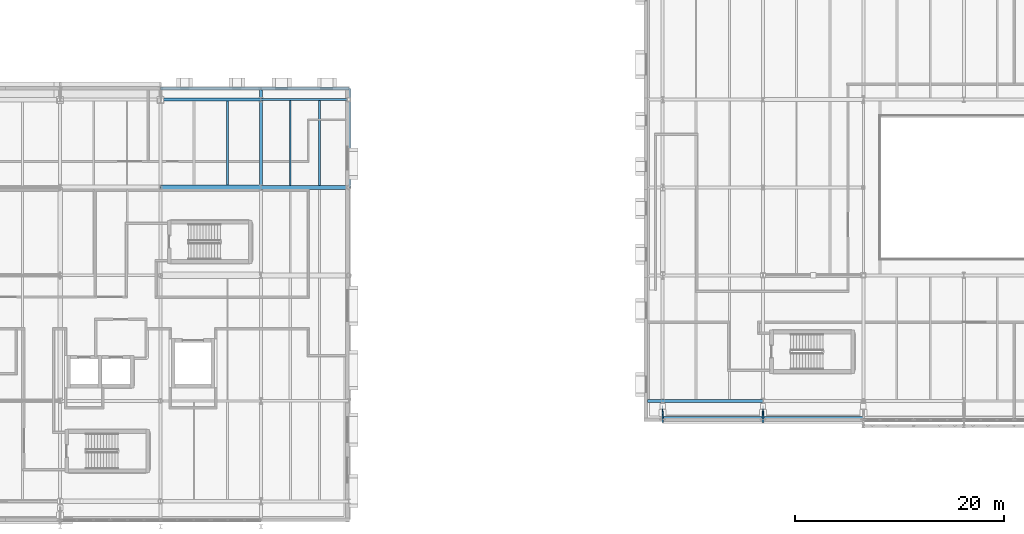
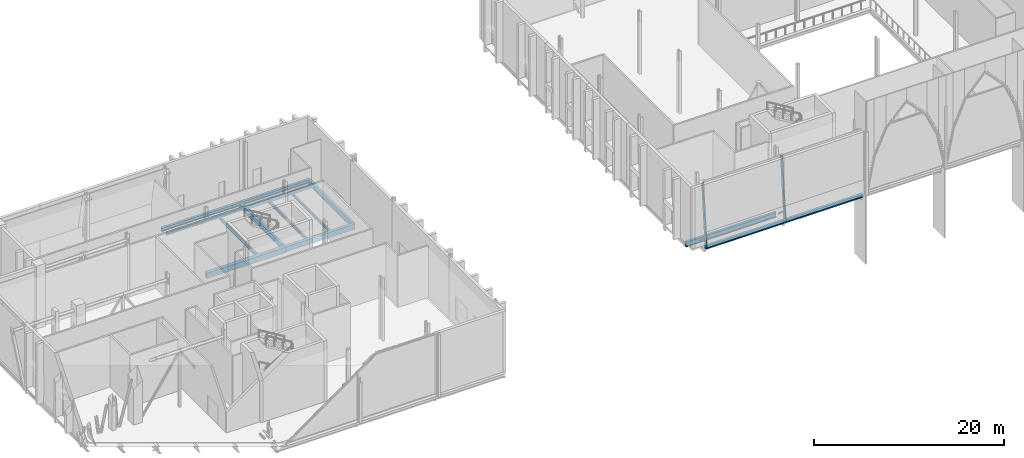
# One storey, part 23 of 79: 14 beams, 4 members.
"""IFC4 building model written with IfcOpenShell, lengths in metres."""

from ifc_helpers import new_model, si_unit, direction, frame, origin, origin_2d, place, context, subcontext, project, spatial, rectangle, hollow_rectangle, i_section, extrude, material, material_profile, profile_set, type_object, element, save


model = new_model("IFC4")

# Units and contexts
model_context = context("Model", 3, precision=1e-05, world=origin(), true_north=direction((0.0, 1.0)))
body_context = subcontext(model_context, "Body", "Model", "MODEL_VIEW")
ifc_project = project(units=[si_unit("LENGTHUNIT", "METRE"), si_unit("AREAUNIT", "SQUARE_METRE"), si_unit("VOLUMEUNIT", "CUBIC_METRE"), si_unit("PLANEANGLEUNIT", "RADIAN"), si_unit("MASSUNIT", "GRAM", prefix="KILO")], contexts=[model_context])

# Site, building, storey
site_placement = place(None, origin())
site = spatial("IfcSite", under=ifc_project, at=site_placement, CompositionType="ELEMENT")
building_placement = place(site_placement, origin())
building = spatial("IfcBuilding", under=site, at=building_placement, Name="Zereglee Splitstone Museum", CompositionType="ELEMENT")
storey_placement = place(building_placement, frame((0.0, 0.0, 9.0)))
storey = spatial("IfcBuildingStorey", under=building, at=storey_placement, Name="L02", CompositionType="ELEMENT", Elevation=9.0)

# Beams
ifc_material_1 = material(Name="Concrete C40/50", Category="concrete")
ifc_material_profile_1 = material_profile(ifc_material_1, rectangle(XDim=0.39990234375, YDim=0.64990234375, at=origin_2d()), Name="RC 400x650")
ifc_profile_set_1 = profile_set([ifc_material_profile_1], Name="Concrete C40/50")
beam_type_1 = type_object("IfcBeamType", Name="BG-04", PredefinedType="BEAM", material=ifc_profile_set_1)
beam_1_placement = place(storey_placement, frame((39.60009765625, 30.0, -0.64501953125), z_axis=(1.0, 0.0, 0.0), x_axis=(0.0, 1.0, 0.0)))
element("IfcBeam", 1, at=beam_1_placement, inside=storey, type_object=beam_type_1, Name="Primary Girder L02 D (39.6-48.0)", PredefinedType="BEAM", context=body_context, shape_type="SweptSolid", body=[
    extrude(rectangle(XDim=0.39990234375, YDim=0.64990234375, at=origin_2d()), origin(), (0.0, 0.0, 1.0), 8.39990234375),
])
ifc_material_profile_2 = material_profile(ifc_material_1, rectangle(XDim=0.449951171875, YDim=0.699951171875, at=origin_2d()), Name="RC 450x700")
ifc_profile_set_2 = profile_set([ifc_material_profile_2], Name="Concrete C40/50")
beam_type_2 = type_object("IfcBeamType", Name="BG-03", PredefinedType="BEAM", material=ifc_profile_set_2)
beam_2_placement = place(storey_placement, frame((30.0, 30.0, -0.669921875), z_axis=(1.0, 0.0, 0.0), x_axis=(0.0, 1.0, 0.0)))
element("IfcBeam", 2, at=beam_2_placement, inside=storey, type_object=beam_type_2, Name="Primary Girder L02 D (30.0-39.6)", PredefinedType="BEAM", context=body_context, shape_type="SweptSolid", body=[
    extrude(rectangle(XDim=0.449951171875, YDim=0.699951171875, at=origin_2d()), origin(), (0.0, 0.0, 1.0), 9.60009765625),
])
ifc_material_2 = material(Name="Steel S355J2", Category="steel")
ifc_material_profile_3 = material_profile(ifc_material_2, i_section(OverallWidth=0.300048828125, OverallDepth=0.64990234375, WebThickness=0.01611328125, FlangeThickness=0.031005859375, FilletRadius=0.027099609375, at=origin_2d()), Name="HE 650 B")
ifc_profile_set_3 = profile_set([ifc_material_profile_3], Name="Steel S355J2")
beam_type_3 = type_object("IfcBeamType", Name="BG-09", PredefinedType="BEAM", material=ifc_profile_set_3)
beam_3_placement = place(storey_placement, frame((76.550048828125, 9.60009765625, -0.64501953125), z_axis=(1.0, 0.0, 0.0), x_axis=(0.0, 1.0, 0.0)))
element("IfcBeam", 3, at=beam_3_placement, inside=storey, type_object=beam_type_3, Name="Primary Girder L02 B (76.5-87.6)", PredefinedType="BEAM", context=body_context, shape_type="SweptSolid", body=[
    extrude(i_section(OverallWidth=0.300048828125, OverallDepth=0.64990234375, WebThickness=0.01611328125, FlangeThickness=0.031005859375, FilletRadius=0.027099609375, at=origin_2d()), origin(), (0.0, 0.0, 1.0), 11.050048828125),
])
for number, where, z_axis, x_axis, name in (
    (4, (39.60009765625, 30.0, -0.64501953125), (0.0, 1.0, 0.0), (-1.0, 0.0, 0.0), "Primary Girder L02 6 (30.0-39.5)"),
    (5, (48.0, 30.0, -0.64501953125), (0.0, 1.0, 0.0), (-1.0, 0.0, 0.0), "Primary Girder L02 7 (30.0-39.5)"),
):
    element("IfcBeam", number, at=place(storey_placement, frame(where, z_axis=z_axis, x_axis=x_axis)), inside=storey, type_object=beam_type_3, Name=name, PredefinedType="BEAM", context=body_context, shape_type="SweptSolid", body=[
        extrude(i_section(OverallWidth=0.300048828125, OverallDepth=0.64990234375, WebThickness=0.01611328125, FlangeThickness=0.031005859375, FilletRadius=0.027099609375, at=origin_2d()), origin(), (0.0, 0.0, 1.0), 9.449951171875),
    ])
ifc_material_profile_4 = material_profile(ifc_material_2, i_section(OverallWidth=0.169921875, OverallDepth=0.360107421875, WebThickness=0.008056640625, FlangeThickness=0.0126953125, FilletRadius=0.01806640625, at=origin_2d()), Name="IPE 360")
ifc_profile_set_4 = profile_set([ifc_material_profile_4], Name="Steel S355J2")
beam_type_4 = type_object("IfcBeamType", Name="BJ-04", PredefinedType="JOIST", material=ifc_profile_set_4)
beam_4_placement = place(storey_placement, frame((45.199951171875, 30.199951171875, -0.5), z_axis=(0.0, 1.0, 0.0), x_axis=(-1.0, 0.0, 0.0)))
element("IfcBeam", 6, at=beam_4_placement, inside=storey, type_object=beam_type_4, Name="Secondary Floor Joist L02-1102", PredefinedType="JOIST", context=body_context, shape_type="SweptSolid", body=[
    extrude(i_section(OverallWidth=0.169921875, OverallDepth=0.360107421875, WebThickness=0.008056640625, FlangeThickness=0.0126953125, FilletRadius=0.01806640625, at=origin_2d()), origin(), (0.0, 0.0, 1.0), 8.10009765625),
])
ifc_material_profile_5 = material_profile(ifc_material_2, i_section(OverallWidth=0.179931640625, OverallDepth=0.39990234375, WebThickness=0.008544921875, FlangeThickness=0.013427734375, FilletRadius=0.02099609375, at=origin_2d()), Name="IPE 400")
ifc_profile_set_5 = profile_set([ifc_material_profile_5], Name="Steel S355J2")
beam_type_5 = type_object("IfcBeamType", Name="BJ-03", PredefinedType="JOIST", material=ifc_profile_set_5)
beam_5_placement = place(storey_placement, frame((42.39990234375, 30.199951171875, -0.52001953125), z_axis=(0.0, 1.0, 0.0), x_axis=(-1.0, 0.0, 0.0)))
element("IfcBeam", 7, at=beam_5_placement, inside=storey, type_object=beam_type_5, Name="Secondary Floor Joist L02-1101", PredefinedType="JOIST", context=body_context, shape_type="SweptSolid", body=[
    extrude(i_section(OverallWidth=0.179931640625, OverallDepth=0.39990234375, WebThickness=0.008544921875, FlangeThickness=0.013427734375, FilletRadius=0.02099609375, at=origin_2d()), origin(), (0.0, 0.0, 1.0), 8.10009765625),
])
ifc_material_profile_6 = material_profile(ifc_material_2, i_section(OverallWidth=0.18994140625, OverallDepth=0.449951171875, WebThickness=0.009521484375, FlangeThickness=0.0146484375, FilletRadius=0.02099609375, at=origin_2d()), Name="IPE 450")
ifc_profile_set_6 = profile_set([ifc_material_profile_6], Name="Steel S355J2")
beam_type_6 = type_object("IfcBeamType", Name="BJ-02", PredefinedType="JOIST", material=ifc_profile_set_6)
beam_6_placement = place(storey_placement, frame((36.39990234375, 30.22509765625, -0.544921875), z_axis=(0.0, 1.0, 0.0), x_axis=(-1.0, 0.0, 0.0)))
element("IfcBeam", 8, at=beam_6_placement, inside=storey, type_object=beam_type_6, Name="Secondary Floor Joist L02-1100", PredefinedType="JOIST", context=body_context, shape_type="SweptSolid", body=[
    extrude(i_section(OverallWidth=0.18994140625, OverallDepth=0.449951171875, WebThickness=0.009521484375, FlangeThickness=0.0146484375, FilletRadius=0.02099609375, at=origin_2d()), origin(), (0.0, 0.0, 1.0), 8.034912109375),
])
ifc_material_profile_7 = material_profile(ifc_material_2, i_section(OverallWidth=0.280029296875, OverallDepth=0.280029296875, WebThickness=0.010498046875, FlangeThickness=0.01806640625, FilletRadius=0.02392578125, at=origin_2d()), Name="HE 280 B")
ifc_profile_set_7 = profile_set([ifc_material_profile_7], Name="Steel S355J2")
beam_type_7 = type_object("IfcBeamType", Name="SP-03", PredefinedType="SPANDREL", material=ifc_profile_set_7)
beam_7_placement = place(storey_placement, frame((30.0, 38.39990234375, -0.4599609375), z_axis=(1.0, 0.0, 0.0), x_axis=(0.0, 1.0, 0.0)))
element("IfcBeam", 9, at=beam_7_placement, inside=storey, type_object=beam_type_7, Name="Primary Girder L02 E (30.0-39.6)", PredefinedType="SPANDREL", context=body_context, shape_type="SweptSolid", body=[
    extrude(i_section(OverallWidth=0.280029296875, OverallDepth=0.280029296875, WebThickness=0.010498046875, FlangeThickness=0.01806640625, FilletRadius=0.02392578125, at=origin_2d()), origin(), (0.0, 0.0, 1.0), 9.60009765625),
])
ifc_material_profile_8 = material_profile(ifc_material_2, i_section(OverallWidth=0.300048828125, OverallDepth=0.449951171875, WebThickness=0.013916015625, FlangeThickness=0.02587890625, FilletRadius=0.027099609375, at=origin_2d()), Name="HE 450 B")
ifc_profile_set_8 = profile_set([ifc_material_profile_8], Name="Steel S355J2")
beam_type_8 = type_object("IfcBeamType", Name="SP-02", PredefinedType="SPANDREL", material=ifc_profile_set_8)
beam_8_placement = place(storey_placement, frame((30.0, 39.449951171875, -0.544921875), z_axis=(1.0, 0.0, 0.0), x_axis=(0.0, 1.0, 0.0)))
element("IfcBeam", 10, at=beam_8_placement, inside=storey, type_object=beam_type_8, Name="Hovering Soffit Spandrel L02 (30.0-39.6)", PredefinedType="SPANDREL", context=body_context, shape_type="SweptSolid", body=[
    extrude(i_section(OverallWidth=0.300048828125, OverallDepth=0.449951171875, WebThickness=0.013916015625, FlangeThickness=0.02587890625, FilletRadius=0.027099609375, at=origin_2d()), origin(), (0.0, 0.0, 1.0), 9.60009765625),
])
beam_9_placement = place(storey_placement, frame((39.60009765625, 39.449951171875, -0.544921875), z_axis=(1.0, 0.0, 0.0), x_axis=(0.0, 1.0, 0.0)))
element("IfcBeam", 11, at=beam_9_placement, inside=storey, type_object=beam_type_8, Name="Hovering Soffit Spandrel L02 (39.6-48.0)", PredefinedType="SPANDREL", context=body_context, shape_type="SweptSolid", body=[
    extrude(i_section(OverallWidth=0.300048828125, OverallDepth=0.449951171875, WebThickness=0.013916015625, FlangeThickness=0.02587890625, FilletRadius=0.027099609375, at=origin_2d()), origin(), (0.0, 0.0, 1.0), 8.39990234375),
])
beam_10_placement = place(storey_placement, frame((78.0, 7.949951171875, -0.544921875), z_axis=(1.0, 0.0, 0.0), x_axis=(0.0, 1.0, 0.0)))
element("IfcBeam", 12, at=beam_10_placement, inside=storey, type_object=beam_type_8, Name="Hovering Soffit Spandrel L02 (78.0-87.6)", PredefinedType="SPANDREL", context=body_context, shape_type="SweptSolid", body=[
    extrude(i_section(OverallWidth=0.300048828125, OverallDepth=0.449951171875, WebThickness=0.013916015625, FlangeThickness=0.02587890625, FilletRadius=0.027099609375, at=origin_2d()), origin(), (0.0, 0.0, 1.0), 9.60009765625),
])
beam_11_placement = place(storey_placement, frame((87.60009765625, 7.949951171875, -0.544921875), z_axis=(1.0, 0.0, 0.0), x_axis=(0.0, 1.0, 0.0)))
element("IfcBeam", 13, at=beam_11_placement, inside=storey, type_object=beam_type_8, Name="Hovering Soffit Spandrel L02 (87.6-97.2)", PredefinedType="SPANDREL", context=body_context, shape_type="SweptSolid", body=[
    extrude(i_section(OverallWidth=0.300048828125, OverallDepth=0.449951171875, WebThickness=0.013916015625, FlangeThickness=0.02587890625, FilletRadius=0.027099609375, at=origin_2d()), origin(), (0.0, 0.0, 1.0), 9.599853515625),
])
ifc_material_3 = material(Name="Steel S355J2H", Category="steel")
ifc_material_profile_9 = material_profile(ifc_material_3, hollow_rectangle(XDim=0.199951171875, YDim=0.39990234375, WallThickness=0.01611328125, at=origin_2d()), Name="RHS 400x200x16")
ifc_profile_set_9 = profile_set([ifc_material_profile_9], Name="Steel S355J2H")
beam_type_9 = type_object("IfcBeamType", Name="SP-04", PredefinedType="SPANDREL", material=ifc_profile_set_9)
beam_12_placement = place(storey_placement, frame((39.60009765625, 38.39990234375, -0.52001953125), z_axis=(1.0, 0.0, 0.0), x_axis=(0.0, 1.0, 0.0)))
element("IfcBeam", 14, at=beam_12_placement, inside=storey, type_object=beam_type_9, Name="Primary Girder L02 E (39.6-48.0)", PredefinedType="SPANDREL", context=body_context, shape_type="SweptSolid", body=[
    extrude(hollow_rectangle(XDim=0.199951171875, YDim=0.39990234375, WallThickness=0.01611328125, at=origin_2d()), origin(), (0.0, 0.0, 1.0), 8.39990234375),
])

# Members
ifc_material_profile_10 = material_profile(ifc_material_3, hollow_rectangle(XDim=0.14990234375, YDim=0.35009765625, WallThickness=0.012451171875, at=origin_2d()), Name="RHS 350x150x12.5")
ifc_profile_set_10 = profile_set([ifc_material_profile_10], Name="Steel S355J2H")
member_type_1 = type_object("IfcMemberType", Name="FS-R0", PredefinedType="STRUT", material=ifc_profile_set_10)
for number, where, z_axis, x_axis, name in (
    (15, (78.0, 7.695068359375, -0.570068359375), (0.0, 0.090888526295, 0.995861072534), (-1.0, 0.0, 0.0), "Split-Rock Continuous Facet Strut FH-V2SW L02-01"),
    (16, (87.60009765625, 7.695068359375, -0.570068359375), (0.0, 0.090888526295, 0.995861072534), (-1.0, 0.0, 0.0), "Split-Rock Continuous Facet Strut FH-V2SW L02-02"),
):
    element("IfcMember", number, at=place(storey_placement, frame(where, z_axis=z_axis, x_axis=x_axis)), inside=storey, type_object=member_type_1, Name=name, PredefinedType="STRUT", context=body_context, shape_type="SweptSolid", body=[
        extrude(hollow_rectangle(XDim=0.14990234375, YDim=0.35009765625, WallThickness=0.012451171875, at=origin_2d()), origin(), (0.0, 0.0, 1.0), 8.174072265625),
    ])
ifc_material_profile_11 = material_profile(ifc_material_3, hollow_rectangle(XDim=0.1201171875, YDim=0.199951171875, WallThickness=0.008056640625, at=origin_2d()), Name="RHS 200x120x8")
ifc_profile_set_11 = profile_set([ifc_material_profile_11], Name="Steel S355J2H")
member_type_2 = type_object("IfcMemberType", Name="FS-T1", PredefinedType="STRUT", material=ifc_profile_set_11)
for number, where, z_axis, x_axis, name in (
    (17, (78.0, 9.10009765625, -0.280029296875), (0.0, -0.739099080586, 0.673596725851), (1.0, 0.0, 0.0), "Facet Tie-Back Strut FH-V2SW L02-01"),
    (18, (87.60009765625, 9.10009765625, -0.280029296875), (0.0, -0.739099080586, 0.673596725851), (1.0, 0.0, 0.0), "Facet Tie-Back Strut FH-V2SW L02-02"),
):
    element("IfcMember", number, at=place(storey_placement, frame(where, z_axis=z_axis, x_axis=x_axis)), inside=storey, type_object=member_type_2, Name=name, PredefinedType="STRUT", context=body_context, shape_type="SweptSolid", body=[
        extrude(hollow_rectangle(XDim=0.1201171875, YDim=0.199951171875, WallThickness=0.008056640625, at=origin_2d()), origin(), (0.0, 0.0, 1.0), 1.721923828125),
    ])

save(model, "model.ifc")
